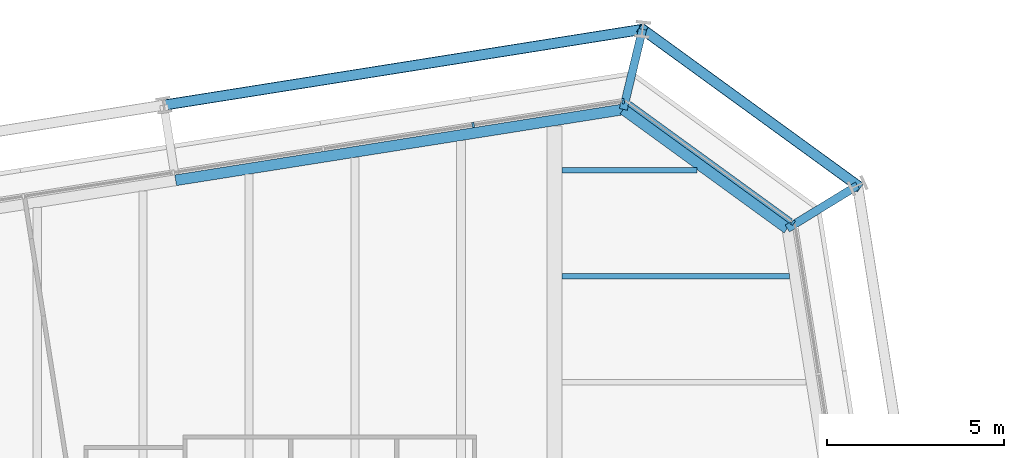
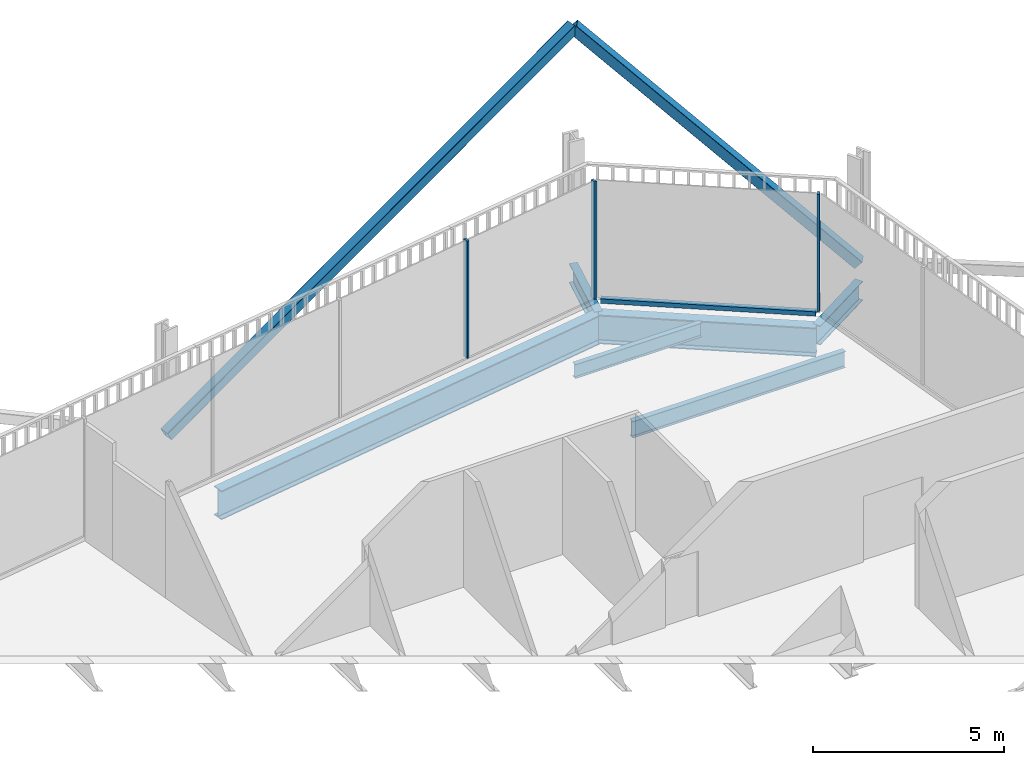
# One storey, part 16 of 22: 6 beams, 6 members, 2 elements without a shape of their own.
"""IFC4 building model written with IfcOpenShell, lengths in metres."""

from ifc_helpers import new_model, si_unit, direction, frame, origin, origin_2d, place, context, subcontext, project, spatial, rectangle, hollow_rectangle, i_section, extrude, material, layer, layer_set, material_profile, profile_set, type_object, element, aggregate, save


model = new_model("IFC4")

# Units and contexts
model_context = context("Model", 3, precision=1e-05, world=origin(), true_north=direction((0.0, 1.0)))
body_context = subcontext(model_context, "Body", "Model", "MODEL_VIEW")
ifc_project = project(units=[si_unit("LENGTHUNIT", "METRE"), si_unit("AREAUNIT", "SQUARE_METRE"), si_unit("VOLUMEUNIT", "CUBIC_METRE"), si_unit("PLANEANGLEUNIT", "RADIAN"), si_unit("MASSUNIT", "GRAM", prefix="KILO")], contexts=[model_context])

# Site, building, storey
site_placement = place(None, origin())
site = spatial("IfcSite", under=ifc_project, at=site_placement, CompositionType="ELEMENT")
building_placement = place(site_placement, origin())
building = spatial("IfcBuilding", under=site, at=building_placement, Name="Millrace Tower", CompositionType="ELEMENT")
storey_placement = place(building_placement, frame((0.0, 0.0, 180.0)))
storey = spatial("IfcBuildingStorey", under=building, at=storey_placement, Name="L40", CompositionType="ELEMENT", Elevation=180.0)

# Curtain wall, member
ifc_material_1 = material(Name="Aluminium and glass", Category="aluminium")
ifc_layer = layer(ifc_material_1, 0.14990234375)
ifc_layer_set = layer_set([ifc_layer], Name="Aluminium and glass")
curtain_wall_type = type_object("IfcCurtainWallType", Name="CW-1 office vision curtain wall", PredefinedType="NOTDEFINED", material=ifc_layer_set)
placement = place(storey_placement, origin())
curtain_wall_1 = element("IfcCurtainWall", 1, at=placement, inside=storey, type_object=curtain_wall_type, Name="Curtain wall C-F05 L40", PredefinedType="NOTDEFINED")
ifc_material_2 = material(Name="Aluminium", Category="aluminium")
ifc_material_profile_1 = material_profile(ifc_material_2, rectangle(XDim=0.06494140625, YDim=0.14990234375, at=origin_2d()))
ifc_profile_set_1 = profile_set([ifc_material_profile_1], Name="Aluminium")
member_type_1 = type_object("IfcMemberType", Name="CW-1 office vision curtain wall mullion", PredefinedType="MULLION", material=ifc_profile_set_1)
member_1_placement = place(storey_placement, frame((21.4013671875, 22.517822265625, 0.139892578125), z_axis=(0.0, 0.0, 1.0), x_axis=(-0.809016981623, 0.587785269844, 0.0)))
member_1 = element("IfcMember", 2, at=member_1_placement, type_object=member_type_1, Name="CW1 mullion C-F05.1", PredefinedType="MULLION", context=body_context, shape_type="SweptSolid", body=[
    extrude(rectangle(XDim=0.06494140625, YDim=0.14990234375, at=origin_2d()), origin(), (0.0, 0.0, 1.0), 3.760009765625),
])

# Curtain wall, members
curtain_wall_2 = element("IfcCurtainWall", 3, at=placement, inside=storey, type_object=curtain_wall_type, Name="Curtain wall C-F06 L40", PredefinedType="NOTDEFINED")
member_2_placement = place(storey_placement, frame((16.591796875, 25.956787109375, 0.139892578125), z_axis=(0.0, 0.0, 1.0), x_axis=(-0.98768833929, -0.15643447328, 0.0)))
member_2 = element("IfcMember", 4, at=member_2_placement, type_object=member_type_1, Name="CW1 mullion C-F06.1", PredefinedType="MULLION", context=body_context, shape_type="SweptSolid", body=[
    extrude(rectangle(XDim=0.06494140625, YDim=0.14990234375, at=origin_2d()), origin(), (0.0, 0.0, 1.0), 3.760009765625),
])
member_3_placement = place(storey_placement, frame((12.3447265625, 25.283935546875, 0.139892578125), z_axis=(0.0, 0.0, 1.0), x_axis=(-0.98768833929, -0.15643447328, 0.0)))
member_3 = element("IfcMember", 5, at=member_3_placement, type_object=member_type_1, Name="CW1 mullion C-F06.2", PredefinedType="MULLION", context=body_context, shape_type="SweptSolid", body=[
    extrude(rectangle(XDim=0.06494140625, YDim=0.14990234375, at=origin_2d()), origin(), (0.0, 0.0, 1.0), 3.760009765625),
])
aggregate(curtain_wall_2, [member_2, member_3])

# Member
ifc_material_3 = material(Name="Aluminium", Category="aluminium")
ifc_material_profile_2 = material_profile(ifc_material_3, rectangle(XDim=0.14990234375, YDim=0.139892578125, at=origin_2d()))
ifc_profile_set_2 = profile_set([ifc_material_profile_2], Name="Aluminium")
member_type_2 = type_object("IfcMemberType", Name="CW-1 office vision curtain wall transom", PredefinedType="USERDEFINED", material=ifc_profile_set_2)
member_4_placement = place(storey_placement, frame((21.346923828125, 22.557373046875, 0.070068359375), z_axis=(-0.809013470651, 0.587790102252, 0.0), x_axis=(-0.587790102252, -0.809013470651, 0.0)))
member_4 = element("IfcMember", 6, at=member_4_placement, type_object=member_type_2, Name="CW1 transom C-F05.1", ObjectType="TRANSOM", PredefinedType="USERDEFINED", context=body_context, shape_type="SweptSolid", body=[
    extrude(rectangle(XDim=0.14990234375, YDim=0.139892578125, at=origin_2d()), origin(), (0.0, 0.0, 1.0), 5.669189453125),
])

aggregate(curtain_wall_1, [member_1, member_4])

# Members
ifc_material_4 = material(Name="Steel ASTM A500 Grade C", Category="steel")
ifc_material_profile_3 = material_profile(ifc_material_4, hollow_rectangle(XDim=0.3046875, YDim=0.3046875, WallThickness=0.0126953125, InnerFilletRadius=0.00634765625, OuterFilletRadius=0.01904296875, at=origin_2d()))
ifc_profile_set_3 = profile_set([ifc_material_profile_3], Name="Steel ASTM A500 Grade C")
member_type_3 = type_object("IfcMemberType", Name="Exoskeleton brace HSS12x12x1/2", PredefinedType="BRACE", material=ifc_profile_set_3)
member_5_placement = place(storey_placement, frame((23.2294921875, 23.569091796875, 0.39990234375), z_axis=(-0.592387752691, 0.430389097037, 0.681059450866), x_axis=(-0.587780069364, -0.809020759968, 0.0)))
element("IfcMember", 7, at=member_5_placement, inside=storey, type_object=member_type_3, Name="BRC-C-L40-09", PredefinedType="BRACE", context=body_context, shape_type="SweptSolid", body=[
    extrude(hollow_rectangle(XDim=0.3046875, YDim=0.3046875, WallThickness=0.0126953125, InnerFilletRadius=0.00634765625, OuterFilletRadius=0.01904296875, at=origin_2d()), origin(), (0.0, 0.0, 1.0), 10.278076171875),
])
member_6_placement = place(storey_placement, frame((3.58154296875, 25.844970703125, 0.39990234375), z_axis=(0.879904612171, 0.139370908249, 0.454250617407), x_axis=(-0.156442906258, 0.987687003601, 0.0)))
element("IfcMember", 8, at=member_6_placement, inside=storey, type_object=member_type_3, Name="BRC-C-L40-10", PredefinedType="BRACE", context=body_context, shape_type="SweptSolid", body=[
    extrude(hollow_rectangle(XDim=0.3046875, YDim=0.3046875, WallThickness=0.0126953125, InnerFilletRadius=0.00634765625, OuterFilletRadius=0.01904296875, at=origin_2d()), origin(), (0.0, 0.0, 1.0), 15.409912109375),
])

# Beams
ifc_material_5 = material(Name="Steel ASTM A992 Grade 50", Category="steel")
ifc_material_profile_4 = material_profile(ifc_material_5, i_section(OverallWidth=0.15234375, OverallDepth=0.449462890625, WebThickness=0.007568359375, FlangeThickness=0.0107421875, FilletRadius=0.01025390625, at=origin_2d()))
ifc_profile_set_4 = profile_set([ifc_material_profile_4], Name="Steel ASTM A992 Grade 50")
beam_type_1 = type_object("IfcBeamType", Name="Floor beam W18x35", PredefinedType="JOIST", material=ifc_profile_set_4)
beam_1_placement = place(storey_placement, frame((14.859619140625, 24.0, -0.384765625), z_axis=(1.0, 0.0, 0.0), x_axis=(0.0, 1.0, 0.0)))
element("IfcBeam", 9, at=beam_1_placement, inside=storey, type_object=beam_type_1, Name="BM-C-L40-S1-S038", PredefinedType="JOIST", context=body_context, shape_type="SweptSolid", body=[
    extrude(i_section(OverallWidth=0.15234375, OverallDepth=0.449462890625, WebThickness=0.007568359375, FlangeThickness=0.0107421875, FilletRadius=0.01025390625, at=origin_2d()), origin(), (0.0, 0.0, 1.0), 3.8232421875),
])
ifc_material_6 = material(Name="Steel ASTM A992 Grade 50", Category="steel")
ifc_material_profile_5 = material_profile(ifc_material_6, i_section(OverallWidth=0.1650390625, OverallDepth=0.52587890625, WebThickness=0.0087890625, FlangeThickness=0.011474609375, FilletRadius=0.0126953125, at=origin_2d()))
ifc_profile_set_5 = profile_set([ifc_material_profile_5], Name="Steel ASTM A992 Grade 50")
beam_type_2 = type_object("IfcBeamType", Name="Floor beam W21x44", PredefinedType="JOIST", material=ifc_profile_set_5)
beam_2_placement = place(storey_placement, frame((14.859619140625, 21.0, -0.4228515625), z_axis=(1.0, 0.0, 0.0), x_axis=(0.0, 1.0, 0.0)))
element("IfcBeam", 10, at=beam_2_placement, inside=storey, type_object=beam_type_2, Name="BM-C-L40-S1-S037", PredefinedType="JOIST", context=body_context, shape_type="SweptSolid", body=[
    extrude(i_section(OverallWidth=0.1650390625, OverallDepth=0.52587890625, WebThickness=0.0087890625, FlangeThickness=0.011474609375, FilletRadius=0.0126953125, at=origin_2d()), origin(), (0.0, 0.0, 1.0), 6.440673828125),
])
ifc_material_7 = material(Name="Steel ASTM A992 Grade 50", Category="steel")
ifc_material_profile_6 = material_profile(ifc_material_7, i_section(OverallWidth=0.23046875, OverallDepth=0.6171875, WebThickness=0.01318359375, FlangeThickness=0.022216796875, FilletRadius=0.012939453125, at=origin_2d()))
ifc_profile_set_6 = profile_set([ifc_material_profile_6], Name="Steel ASTM A992 Grade 50")
beam_type_3 = type_object("IfcBeamType", Name="Link beam W24x94", PredefinedType="BEAM", material=ifc_profile_set_6)
beam_3_placement = place(storey_placement, frame((16.5966796875, 25.725830078125, -0.468505859375), z_axis=(0.233432364948, 0.972373041068, 0.0), x_axis=(-0.972373041068, 0.233432364948, 0.0)))
element("IfcBeam", 11, at=beam_3_placement, inside=storey, type_object=beam_type_3, Name="LNK-C-L40-S1-08", PredefinedType="BEAM", context=body_context, shape_type="SweptSolid", body=[
    extrude(i_section(OverallWidth=0.23046875, OverallDepth=0.6171875, WebThickness=0.01318359375, FlangeThickness=0.022216796875, FilletRadius=0.012939453125, at=origin_2d()), origin(), (0.0, 0.0, 1.0), 2.331298828125),
])
beam_4_placement = place(storey_placement, frame((21.241943359375, 22.35107421875, -0.468505859375), z_axis=(0.852631355792, 0.522512938711, 0.0), x_axis=(-0.522512938711, 0.852631355792, 0.0)))
element("IfcBeam", 12, at=beam_4_placement, inside=storey, type_object=beam_type_3, Name="LNK-C-L40-S1-09", PredefinedType="BEAM", context=body_context, shape_type="SweptSolid", body=[
    extrude(i_section(OverallWidth=0.23046875, OverallDepth=0.6171875, WebThickness=0.01318359375, FlangeThickness=0.022216796875, FilletRadius=0.012939453125, at=origin_2d()), origin(), (0.0, 0.0, 1.0), 2.3310546875),
])
ifc_material_8 = material(Name="Steel ASTM A992 Grade 50", Category="steel")
ifc_material_profile_7 = material_profile(ifc_material_8, i_section(OverallWidth=0.307373046875, OverallDepth=0.927001953125, WebThickness=0.01953125, FlangeThickness=0.031982421875, FilletRadius=0.01904296875, at=origin_2d()))
ifc_profile_set_7 = profile_set([ifc_material_profile_7], Name="Steel ASTM A992 Grade 50")
beam_type_4 = type_object("IfcBeamType", Name="Ring beam medium span W36x194", PredefinedType="SPANDREL", material=ifc_profile_set_7)
beam_5_placement = place(storey_placement, frame((3.91845703125, 23.718017578125, -0.62353515625), z_axis=(0.987690996996, 0.156417692264, 0.0), x_axis=(-0.156417692264, 0.987690996996, 0.0)))
element("IfcBeam", 13, at=beam_5_placement, inside=storey, type_object=beam_type_4, Name="RNG-C-L40-S1-07", PredefinedType="SPANDREL", context=body_context, shape_type="SweptSolid", body=[
    extrude(i_section(OverallWidth=0.307373046875, OverallDepth=0.927001953125, WebThickness=0.01953125, FlangeThickness=0.031982421875, FilletRadius=0.01904296875, at=origin_2d()), origin(), (0.0, 0.0, 1.0), 12.836181640625),
])
ifc_material_9 = material(Name="Steel ASTM A992 Grade 50", Category="steel")
ifc_material_profile_8 = material_profile(ifc_material_9, i_section(OverallWidth=0.307373046875, OverallDepth=0.927001953125, WebThickness=0.01953125, FlangeThickness=0.031982421875, FilletRadius=0.01904296875, at=origin_2d()))
ifc_profile_set_8 = profile_set([ifc_material_profile_8], Name="Steel ASTM A992 Grade 50")
beam_type_5 = type_object("IfcBeamType", Name="Ring beam short span W36x194", PredefinedType="SPANDREL", material=ifc_profile_set_8)
beam_6_placement = place(storey_placement, frame((16.5966796875, 25.725830078125, -0.62353515625), z_axis=(0.809035690681, -0.587759518174, 0.0), x_axis=(0.587759518174, 0.809035690681, 0.0)))
element("IfcBeam", 14, at=beam_6_placement, inside=storey, type_object=beam_type_5, Name="RNG-C-L40-S1-08", PredefinedType="SPANDREL", context=body_context, shape_type="SweptSolid", body=[
    extrude(i_section(OverallWidth=0.307373046875, OverallDepth=0.927001953125, WebThickness=0.01953125, FlangeThickness=0.031982421875, FilletRadius=0.01904296875, at=origin_2d()), origin(), (0.0, 0.0, 1.0), 5.74169921875),
])

save(model, "model.ifc")
